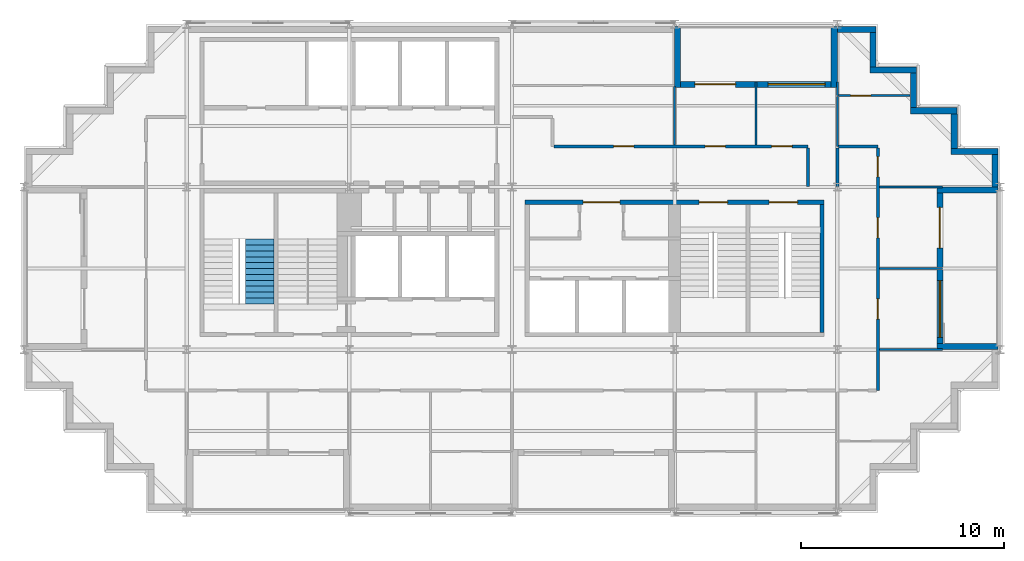
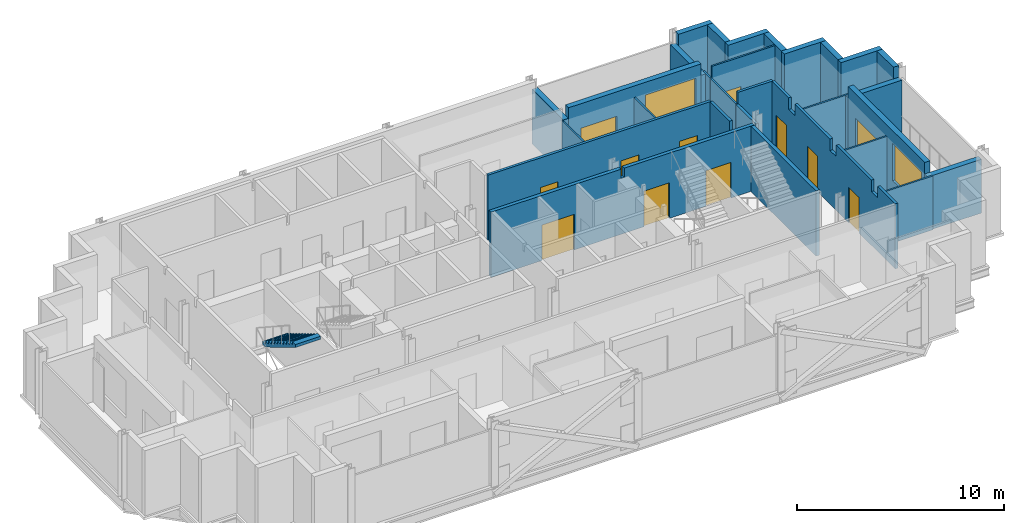
# One storey, part 7 of 9: 29 walls, 12 doors, 2 windows, 1 stair flight, 14 openings, 1 element without a shape of its own.
"""IFC4 building model written with IfcOpenShell, lengths in metres."""

from ifc_helpers import new_model, si_unit, direction, frame, frame_2d, origin, place, context, subcontext, project, spatial, polyline, rectangle, outline, extrude, material, layer, layer_set, type_object, element, fill, aggregate, save


model = new_model("IFC4")

# Units and contexts
model_context = context("Model", 3, precision=1e-05, world=origin(), true_north=direction((0.0, 1.0)))
body_context = subcontext(model_context, "Body", "Model", "MODEL_VIEW")
ifc_project = project(units=[si_unit("LENGTHUNIT", "METRE"), si_unit("AREAUNIT", "SQUARE_METRE"), si_unit("VOLUMEUNIT", "CUBIC_METRE"), si_unit("PLANEANGLEUNIT", "RADIAN"), si_unit("MASSUNIT", "GRAM", prefix="KILO")], contexts=[model_context])

# Site, building, storey
site_placement = place(None, origin())
site = spatial("IfcSite", under=ifc_project, at=site_placement, CompositionType="ELEMENT")
building_placement = place(site_placement, origin())
building = spatial("IfcBuilding", under=site, at=building_placement, Name="Immortelle Media Tower", CompositionType="ELEMENT")
storey_placement = place(building_placement, frame((0.0, 0.0, 225.0)))
storey = spatial("IfcBuildingStorey", under=building, at=storey_placement, Name="L48", CompositionType="ELEMENT", Elevation=225.0)

# Wall, openings, doors
ifc_material_1 = material(Name="Fire-rated gypsum board", Category="gypsum")
ifc_layer_1 = layer(ifc_material_1, 0.012451171875)
ifc_material_2 = material(Name="Steel ASTM A653 SS Gr 50 stud frame with mineral wool", Category="steel")
ifc_layer_2 = layer(ifc_material_2, 0.125)
ifc_layer_3 = layer(ifc_material_1, 0.012451171875)
ifc_layer_set_1 = layer_set([ifc_layer_1, ifc_layer_2, ifc_layer_3], Name="Steel ASTM A653 SS Gr 50 stud frame with mineral wool")
wall_type_1 = type_object("IfcWallType", Name="Corridor wall 150", PredefinedType="PARTITIONING", material=ifc_layer_set_1)
wall_1_placement = place(storey_placement, frame((42.0, 6.0, 0.0), z_axis=(0.0, 0.0, 1.0), x_axis=(0.0, 1.0, 0.0)))
wall_1 = element("IfcWall", 1, at=wall_1_placement, inside=storey, type_object=wall_type_1, Name="Partition L48-017", PredefinedType="PARTITIONING", context=body_context, shape_type="SweptSolid", body=[
    extrude(outline(polyline([(0.0, 0.0), (11.925048828125, 0.0), (11.925048828125, 3.85009765625), (10.300048828125, 3.85009765625), (10.298095703125, 3.172119140625), (9.701904296875, 3.172119140625), (9.699951171875, 3.85009765625), (6.300048828125, 3.85009765625), (6.298095703125, 3.172119140625), (5.701904296875, 3.172119140625), (5.699951171875, 3.85009765625), (2.300048828125, 3.85009765625), (2.298095703125, 3.172119140625), (1.701904296875, 3.172119140625), (1.699951171875, 3.85009765625), (0.0, 3.85009765625), (0.0, 0.0)])), frame((0.0, 0.074951171875, 0.0), z_axis=(0.0, -1.0, 0.0), x_axis=(1.0, 0.0, 0.0)), (0.0, 0.0, 1.0), 0.14990234375),
])
opening_1_placement = place(wall_1_placement, frame((4.5, 0.0, 0.0), z_axis=(0.0, 0.0, 1.0), x_axis=(-1.0, 0.0, 0.0)))
opening_1 = element("IfcOpeningElement", 2, at=opening_1_placement, cuts=wall_1, Name="Opening O5-F014", PredefinedType="OPENING", context=body_context, shape_type="SweptSolid", body=[
    extrude(rectangle(XDim=1.0, YDim=2.10009765625, at=frame_2d((0.5, 1.050048828125))), frame((0.0, 0.0849609375, 0.0), z_axis=(0.0, -1.0, 0.0), x_axis=(1.0, 0.0, 0.0)), (0.0, 0.0, 1.0), 0.169921875),
])
opening_2_placement = place(wall_1_placement, frame((8.5, 0.0, 0.0), z_axis=(0.0, 0.0, 1.0), x_axis=(-1.0, 0.0, 0.0)))
opening_2 = element("IfcOpeningElement", 3, at=opening_2_placement, cuts=wall_1, Name="Opening O5-F015", PredefinedType="OPENING", context=body_context, shape_type="SweptSolid", body=[
    extrude(rectangle(XDim=1.0, YDim=2.10009765625, at=frame_2d((0.5, 1.050048828125))), frame((0.0, 0.0849609375, 0.0), z_axis=(0.0, -1.0, 0.0), x_axis=(1.0, 0.0, 0.0)), (0.0, 0.0, 1.0), 0.169921875),
])
opening_3_placement = place(wall_1_placement, frame((11.5, 0.0, 0.0), z_axis=(0.0, 0.0, 1.0), x_axis=(-1.0, 0.0, 0.0)))
opening_3 = element("IfcOpeningElement", 4, at=opening_3_placement, cuts=wall_1, Name="Opening O5-F017", PredefinedType="OPENING", context=body_context, shape_type="SweptSolid", body=[
    extrude(rectangle(XDim=1.0, YDim=2.10009765625, at=frame_2d((0.5, 1.050048828125))), frame((0.0, 0.0849609375, 0.0), z_axis=(0.0, -1.0, 0.0), x_axis=(1.0, 0.0, 0.0)), (0.0, 0.0, 1.0), 0.169921875),
])
ifc_material_3 = material(Name="Timber veneered door leaf, galvanised steel frame ASTM A653", Category="steel")
door_type_1 = type_object("IfcDoorType", Name="Room door 1000 x 2100", OperationType="NOTDEFINED", PredefinedType="DOOR", material=ifc_material_3)
door_1_placement = place(opening_1_placement, origin())
door_1 = element("IfcDoor", 5, at=door_1_placement, inside=storey, type_object=door_type_1, Name="Door O5-F014", OperationType="SINGLE_SWING_RIGHT", OverallHeight=2.10009765625, OverallWidth=1.0, PredefinedType="DOOR", context=body_context, shape_type="SweptSolid", body=[
    extrude(rectangle(XDim=1.0, YDim=2.10009765625, at=frame_2d((0.5, 1.050048828125))), frame((0.0, 0.02490234375, 0.0), z_axis=(0.0, -1.0, 0.0), x_axis=(1.0, 0.0, 0.0)), (0.0, 0.0, 1.0), 0.050048828125),
])
fill(opening_1, door_1)
door_2_placement = place(opening_2_placement, origin())
door_2 = element("IfcDoor", 6, at=door_2_placement, inside=storey, type_object=door_type_1, Name="Door O5-F015", OperationType="SINGLE_SWING_RIGHT", OverallHeight=2.10009765625, OverallWidth=1.0, PredefinedType="DOOR", context=body_context, shape_type="SweptSolid", body=[
    extrude(rectangle(XDim=1.0, YDim=2.10009765625, at=frame_2d((0.5, 1.050048828125))), frame((0.0, 0.02490234375, 0.0), z_axis=(0.0, -1.0, 0.0), x_axis=(1.0, 0.0, 0.0)), (0.0, 0.0, 1.0), 0.050048828125),
])
fill(opening_2, door_2)
door_3_placement = place(opening_3_placement, origin())
door_3 = element("IfcDoor", 7, at=door_3_placement, inside=storey, type_object=door_type_1, Name="Door O5-F017", OperationType="SINGLE_SWING_RIGHT", OverallHeight=2.10009765625, OverallWidth=1.0, PredefinedType="DOOR", context=body_context, shape_type="SweptSolid", body=[
    extrude(rectangle(XDim=1.0, YDim=2.10009765625, at=frame_2d((0.5, 1.050048828125))), frame((0.0, 0.02490234375, 0.0), z_axis=(0.0, -1.0, 0.0), x_axis=(1.0, 0.0, 0.0)), (0.0, 0.0, 1.0), 0.050048828125),
])
fill(opening_3, door_3)

# Walls
wall_2_placement = place(storey_placement, frame((38.550048828125, 16.030029296875, 0.0), z_axis=(0.0, 0.0, 1.0), x_axis=(0.0, 1.0, 0.0)))
element("IfcWall", 8, at=wall_2_placement, inside=storey, type_object=wall_type_1, Name="Partition L48-023", PredefinedType="PARTITIONING", context=body_context, shape_type="SweptSolid", body=[
    extrude(rectangle(XDim=1.89501953125, YDim=0.14990234375, at=frame_2d((0.947509765625, 0.0))), origin(), (0.0, 0.0, 1.0), 3.85009765625),
])
wall_3_placement = place(storey_placement, frame((40.0, 16.030029296875, 0.0), z_axis=(0.0, 0.0, 1.0), x_axis=(0.0, 1.0, 0.0)))
element("IfcWall", 9, at=wall_3_placement, inside=storey, type_object=wall_type_1, Name="Partition L48-024", PredefinedType="PARTITIONING", context=body_context, shape_type="SweptSolid", body=[
    extrude(rectangle(XDim=1.89501953125, YDim=0.14990234375, at=frame_2d((0.947509765625, 0.0))), origin(), (0.0, 0.0, 1.0), 3.172119140625),
])

# Wall, openings, doors
wall_4_placement = place(storey_placement, frame((26.074951171875, 18.0, 0.0), z_axis=(0.0, 0.0, 1.0), x_axis=(1.0, 0.0, 0.0)))
wall_4 = element("IfcWall", 10, at=wall_4_placement, inside=storey, type_object=wall_type_1, Name="Partition L48-025", PredefinedType="PARTITIONING", context=body_context, shape_type="SweptSolid", body=[
    extrude(rectangle(XDim=12.47509765625, YDim=0.14990234375, at=frame_2d((6.237548828125, 0.0))), origin(), (0.0, 0.0, 1.0), 3.85009765625),
])
opening_4_placement = place(wall_4_placement, frame((7.425048828125, 0.0, 0.0)))
opening_4 = element("IfcOpeningElement", 11, at=opening_4_placement, cuts=wall_4, Name="Opening O5-F019", PredefinedType="OPENING", context=body_context, shape_type="SweptSolid", body=[
    extrude(rectangle(XDim=1.0, YDim=2.10009765625, at=frame_2d((0.5, 1.050048828125))), frame((0.0, 0.0849609375, 0.0), z_axis=(0.0, -1.0, 0.0), x_axis=(1.0, 0.0, 0.0)), (0.0, 0.0, 1.0), 0.169921875),
])
opening_5_placement = place(wall_4_placement, frame((10.699951171875, 0.0, 0.0)))
opening_5 = element("IfcOpeningElement", 12, at=opening_5_placement, cuts=wall_4, Name="Opening O5-F020", PredefinedType="OPENING", context=body_context, shape_type="SweptSolid", body=[
    extrude(rectangle(XDim=1.0, YDim=2.10009765625, at=frame_2d((0.5, 1.050048828125))), frame((0.0, 0.0849609375, 0.0), z_axis=(0.0, -1.0, 0.0), x_axis=(1.0, 0.0, 0.0)), (0.0, 0.0, 1.0), 0.169921875),
])
opening_6_placement = place(wall_4_placement, frame((2.925048828125, 0.0, 0.0)))
opening_6 = element("IfcOpeningElement", 13, at=opening_6_placement, cuts=wall_4, Name="Opening O5-F021", PredefinedType="OPENING", context=body_context, shape_type="SweptSolid", body=[
    extrude(rectangle(XDim=1.0, YDim=2.10009765625, at=frame_2d((0.5, 1.050048828125))), frame((0.0, 0.0849609375, 0.0), z_axis=(0.0, -1.0, 0.0), x_axis=(1.0, 0.0, 0.0)), (0.0, 0.0, 1.0), 0.169921875),
])
door_4_placement = place(opening_4_placement, origin())
door_4 = element("IfcDoor", 14, at=door_4_placement, inside=storey, type_object=door_type_1, Name="Door O5-F019", OperationType="SINGLE_SWING_RIGHT", OverallHeight=2.10009765625, OverallWidth=1.0, PredefinedType="DOOR", context=body_context, shape_type="SweptSolid", body=[
    extrude(rectangle(XDim=1.0, YDim=2.10009765625, at=frame_2d((0.5, 1.050048828125))), frame((0.0, 0.02490234375, 0.0), z_axis=(0.0, -1.0, 0.0), x_axis=(1.0, 0.0, 0.0)), (0.0, 0.0, 1.0), 0.050048828125),
])
fill(opening_4, door_4)
door_5_placement = place(opening_5_placement, origin())
door_5 = element("IfcDoor", 15, at=door_5_placement, inside=storey, type_object=door_type_1, Name="Door O5-F020", OperationType="SINGLE_SWING_LEFT", OverallHeight=2.10009765625, OverallWidth=1.0, PredefinedType="DOOR", context=body_context, shape_type="SweptSolid", body=[
    extrude(rectangle(XDim=1.0, YDim=2.10009765625, at=frame_2d((0.5, 1.050048828125))), frame((0.0, 0.02490234375, 0.0), z_axis=(0.0, -1.0, 0.0), x_axis=(1.0, 0.0, 0.0)), (0.0, 0.0, 1.0), 0.050048828125),
])
fill(opening_5, door_5)
door_6_placement = place(opening_6_placement, origin())
door_6 = element("IfcDoor", 16, at=door_6_placement, inside=storey, type_object=door_type_1, Name="Door O5-F021", OperationType="SINGLE_SWING_RIGHT", OverallHeight=2.10009765625, OverallWidth=1.0, PredefinedType="DOOR", context=body_context, shape_type="SweptSolid", body=[
    extrude(rectangle(XDim=1.0, YDim=2.10009765625, at=frame_2d((0.5, 1.050048828125))), frame((0.0, 0.02490234375, 0.0), z_axis=(0.0, -1.0, 0.0), x_axis=(1.0, 0.0, 0.0)), (0.0, 0.0, 1.0), 0.050048828125),
])
fill(opening_6, door_6)

# Wall
wall_5_placement = place(storey_placement, frame((40.050048828125, 18.0, 0.0), z_axis=(0.0, 0.0, 1.0), x_axis=(1.0, 0.0, 0.0)))
element("IfcWall", 17, at=wall_5_placement, inside=storey, type_object=wall_type_1, Name="Partition L48-029", PredefinedType="PARTITIONING", context=body_context, shape_type="SweptSolid", body=[
    extrude(rectangle(XDim=1.949951171875, YDim=0.14990234375, at=frame_2d((0.97509765625, 0.0))), origin(), (0.0, 0.0, 1.0), 3.85009765625),
])

# Wall, openings, door, window
ifc_material_4 = material(Name="Pale aluminium cladding panel", Category="aluminium")
ifc_layer_4 = layer(ifc_material_4, 0.030029296875)
ifc_layer_5 = layer(ifc_material_2, 0.257568359375)
ifc_material_5 = material(Name="Moisture-resistant gypsum board", Category="gypsum")
ifc_layer_6 = layer(ifc_material_5, 0.012451171875)
ifc_layer_set_2 = layer_set([ifc_layer_4, ifc_layer_5, ifc_layer_6], Name="Steel ASTM A653 SS Gr 50 stud frame with mineral wool")
wall_type_2 = type_object("IfcWallType", Name="Facade wall 300", PredefinedType="SOLIDWALL", material=ifc_layer_set_2)
wall_6_placement = place(storey_placement, frame((45.050048828125, 8.300048828125, 0.0), z_axis=(0.0, 0.0, 1.0), x_axis=(0.0, 1.0, 0.0)))
wall_6 = element("IfcWall", 18, at=wall_6_placement, inside=storey, type_object=wall_type_2, Name="Loggia wall L48 E13", PredefinedType="SOLIDWALL", context=body_context, shape_type="SweptSolid", body=[
    extrude(rectangle(XDim=7.39990234375, YDim=0.300048828125, at=frame_2d((3.699951171875, 0.0))), origin(), (0.0, 0.0, 1.0), 3.85009765625),
])
opening_7_placement = place(wall_6_placement, frame((0.300048828125, 0.0, 0.89990234375)))
opening_7 = element("IfcOpeningElement", 19, at=opening_7_placement, cuts=wall_6, Name="Opening W1", PredefinedType="OPENING", context=body_context, shape_type="SweptSolid", body=[
    extrude(rectangle(XDim=2.800048828125, YDim=2.199951171875, at=frame_2d((1.39990234375, 1.10009765625))), frame((0.0, 0.159912109375, 0.0), z_axis=(0.0, -1.0, 0.0), x_axis=(1.0, 0.0, 0.0)), (0.0, 0.0, 1.0), 0.320068359375),
])
opening_8_placement = place(wall_6_placement, frame((4.699951171875, 0.0, 0.0)))
opening_8 = element("IfcOpeningElement", 20, at=opening_8_placement, cuts=wall_6, Name="Opening O5-E003", PredefinedType="OPENING", context=body_context, shape_type="SweptSolid", body=[
    extrude(rectangle(XDim=2.0, YDim=2.39990234375, at=frame_2d((1.0, 1.199951171875))), frame((0.0, 0.159912109375, 0.0), z_axis=(0.0, -1.0, 0.0), x_axis=(1.0, 0.0, 0.0)), (0.0, 0.0, 1.0), 0.320068359375),
])
ifc_material_6 = material(Name="Aluminium frame, glazed leaves", Category="aluminium")
door_type_2 = type_object("IfcDoorType", Name="Loggia door 2000 x 2400", OperationType="DOUBLE_DOOR_SINGLE_SWING", PredefinedType="DOOR", material=ifc_material_6)
door_7_placement = place(opening_8_placement, origin())
door_7 = element("IfcDoor", 21, at=door_7_placement, inside=storey, type_object=door_type_2, Name="Door O5-E003", OperationType="DOUBLE_DOOR_SINGLE_SWING", OverallHeight=2.39990234375, OverallWidth=2.0, PredefinedType="DOOR", context=body_context, shape_type="SweptSolid", body=[
    extrude(rectangle(XDim=2.0, YDim=2.39990234375, at=frame_2d((1.0, 1.199951171875))), frame((0.0, 0.02490234375, 0.0), z_axis=(0.0, -1.0, 0.0), x_axis=(1.0, 0.0, 0.0)), (0.0, 0.0, 1.0), 0.050048828125),
])
fill(opening_8, door_7)
ifc_material_7 = material(Name="Aluminium frame", Category="aluminium")
window_type = type_object("IfcWindowType", Name="Window 2800 x 2200", PartitioningType="SINGLE_PANEL", PredefinedType="WINDOW", material=ifc_material_7)
window_1_placement = place(opening_7_placement, origin())
window_1 = element("IfcWindow", 22, at=window_1_placement, inside=storey, type_object=window_type, Name="Window L48 L48-R13-B0", OverallHeight=2.199951171875, OverallWidth=2.800048828125, PartitioningType="SINGLE_PANEL", PredefinedType="WINDOW", context=body_context, shape_type="SweptSolid", body=[
    extrude(rectangle(XDim=2.800048828125, YDim=2.199951171875, at=frame_2d((1.39990234375, 1.10009765625))), frame((0.0, 0.030029296875, 0.0), z_axis=(0.0, -1.0, 0.0), x_axis=(1.0, 0.0, 0.0)), (0.0, 0.0, 1.0), 0.06005859375),
])
fill(opening_7, window_1)

# Walls
for number, where, z_axis, x_axis, name in (
    (23, (47.89990234375, 8.14990234375, 0.0), (0.0, 0.0, 1.0), (-1.0, 0.0, 0.0), "Loggia cheek wall L48 E"),
    (24, (47.89990234375, 15.85009765625, 0.0), (0.0, 0.0, 1.0), (-1.0, 0.0, 0.0), "Loggia cheek wall L48 E"),
):
    element("IfcWall", number, at=place(storey_placement, frame(where, z_axis=z_axis, x_axis=x_axis)), inside=storey, type_object=wall_type_2, Name=name, PredefinedType="SOLIDWALL", context=body_context, shape_type="SweptSolid", body=[
        extrude(rectangle(XDim=3.0, YDim=0.300048828125, at=frame_2d((1.5, 0.0))), origin(), (0.0, 0.0, 1.0), 3.1708984375),
    ])
wall_7_placement = place(storey_placement, frame((47.75, 16.0, 0.0), z_axis=(0.0, 0.0, 1.0), x_axis=(0.0, 1.0, 0.0)))
element("IfcWall", 25, at=wall_7_placement, inside=storey, type_object=wall_type_2, Name="Facade wall L48 E13", PredefinedType="SOLIDWALL", context=body_context, shape_type="SweptSolid", body=[
    extrude(rectangle(XDim=1.60009765625, YDim=0.300048828125, at=frame_2d((0.800048828125, 0.0))), origin(), (0.0, 0.0, 1.0), 3.85009765625),
])
wall_8_placement = place(storey_placement, frame((47.89990234375, 17.75, 0.0), z_axis=(0.0, 0.0, 1.0), x_axis=(-1.0, 0.0, 0.0)))
element("IfcWall", 26, at=wall_8_placement, inside=storey, type_object=wall_type_2, Name="Facade wall L48 N14", PredefinedType="SOLIDWALL", context=body_context, shape_type="SweptSolid", body=[
    extrude(rectangle(XDim=2.2998046875, YDim=0.300048828125, at=frame_2d((1.14990234375, 0.0))), origin(), (0.0, 0.0, 1.0), 3.85009765625),
])
wall_9_placement = place(storey_placement, frame((45.75, 17.89990234375, 0.0), z_axis=(0.0, 0.0, 1.0), x_axis=(0.0, 1.0, 0.0)))
element("IfcWall", 27, at=wall_9_placement, inside=storey, type_object=wall_type_2, Name="Facade wall L48 E15", PredefinedType="SOLIDWALL", context=body_context, shape_type="SweptSolid", body=[
    extrude(rectangle(XDim=1.7001953125, YDim=0.300048828125, at=frame_2d((0.85009765625, 0.0))), origin(), (0.0, 0.0, 1.0), 3.85009765625),
])
wall_10_placement = place(storey_placement, frame((45.89990234375, 19.75, 0.0), z_axis=(0.0, 0.0, 1.0), x_axis=(-1.0, 0.0, 0.0)))
element("IfcWall", 28, at=wall_10_placement, inside=storey, type_object=wall_type_2, Name="Facade wall L48 N16", PredefinedType="SOLIDWALL", context=body_context, shape_type="SweptSolid", body=[
    extrude(rectangle(XDim=2.2998046875, YDim=0.300048828125, at=frame_2d((1.14990234375, 0.0))), origin(), (0.0, 0.0, 1.0), 3.85009765625),
])
wall_11_placement = place(storey_placement, frame((43.75, 19.89990234375, 0.0), z_axis=(0.0, 0.0, 1.0), x_axis=(0.0, 1.0, 0.0)))
element("IfcWall", 29, at=wall_11_placement, inside=storey, type_object=wall_type_2, Name="Facade wall L48 E17", PredefinedType="SOLIDWALL", context=body_context, shape_type="SweptSolid", body=[
    extrude(rectangle(XDim=1.7001953125, YDim=0.300048828125, at=frame_2d((0.85009765625, 0.0))), origin(), (0.0, 0.0, 1.0), 3.85009765625),
])
wall_12_placement = place(storey_placement, frame((43.89990234375, 21.75, 0.0), z_axis=(0.0, 0.0, 1.0), x_axis=(-1.0, 0.0, 0.0)))
element("IfcWall", 30, at=wall_12_placement, inside=storey, type_object=wall_type_2, Name="Facade wall L48 N18", PredefinedType="SOLIDWALL", context=body_context, shape_type="SweptSolid", body=[
    extrude(rectangle(XDim=2.2998046875, YDim=0.300048828125, at=frame_2d((1.14990234375, 0.0))), origin(), (0.0, 0.0, 1.0), 3.85009765625),
])
wall_13_placement = place(storey_placement, frame((41.75, 21.89990234375, 0.0), z_axis=(0.0, 0.0, 1.0), x_axis=(0.0, 1.0, 0.0)))
element("IfcWall", 31, at=wall_13_placement, inside=storey, type_object=wall_type_2, Name="Facade wall L48 E19", PredefinedType="SOLIDWALL", context=body_context, shape_type="SweptSolid", body=[
    extrude(rectangle(XDim=1.7001953125, YDim=0.300048828125, at=frame_2d((0.85009765625, 0.0))), origin(), (0.0, 0.0, 1.0), 3.85009765625),
])
wall_14_placement = place(storey_placement, frame((41.89990234375, 23.75, 0.0), z_axis=(0.0, 0.0, 1.0), x_axis=(-1.0, 0.0, 0.0)))
element("IfcWall", 32, at=wall_14_placement, inside=storey, type_object=wall_type_2, Name="Facade wall L48 N20", PredefinedType="SOLIDWALL", context=body_context, shape_type="SweptSolid", body=[
    extrude(rectangle(XDim=1.89990234375, YDim=0.300048828125, at=frame_2d((0.949951171875, 0.0))), origin(), (0.0, 0.0, 1.0), 3.85009765625),
])

# Wall, openings, door, window
wall_15_placement = place(storey_placement, frame((39.699951171875, 21.050048828125, 0.0), z_axis=(0.0, 0.0, 1.0), x_axis=(-1.0, 0.0, 0.0)))
wall_15 = element("IfcWall", 33, at=wall_15_placement, inside=storey, type_object=wall_type_2, Name="Loggia wall L48 N20", PredefinedType="SOLIDWALL", context=body_context, shape_type="SweptSolid", body=[
    extrude(rectangle(XDim=7.39990234375, YDim=0.300048828125, at=frame_2d((3.699951171875, 0.0))), origin(), (0.0, 0.0, 1.0), 3.85009765625),
])
opening_9_placement = place(wall_15_placement, frame((0.300048828125, 0.0, 0.89990234375)))
opening_9 = element("IfcOpeningElement", 34, at=opening_9_placement, cuts=wall_15, Name="Opening W1", PredefinedType="OPENING", context=body_context, shape_type="SweptSolid", body=[
    extrude(rectangle(XDim=2.800048828125, YDim=2.199951171875, at=frame_2d((1.39990234375, 1.10009765625))), frame((0.0, 0.159912109375, 0.0), z_axis=(0.0, -1.0, 0.0), x_axis=(1.0, 0.0, 0.0)), (0.0, 0.0, 1.0), 0.320068359375),
])
opening_10_placement = place(wall_15_placement, frame((4.699951171875, 0.0, 0.0)))
opening_10 = element("IfcOpeningElement", 35, at=opening_10_placement, cuts=wall_15, Name="Opening O5-E004", PredefinedType="OPENING", context=body_context, shape_type="SweptSolid", body=[
    extrude(rectangle(XDim=2.0, YDim=2.39990234375, at=frame_2d((1.0, 1.199951171875))), frame((0.0, 0.159912109375, 0.0), z_axis=(0.0, -1.0, 0.0), x_axis=(1.0, 0.0, 0.0)), (0.0, 0.0, 1.0), 0.320068359375),
])
door_8_placement = place(opening_10_placement, origin())
door_8 = element("IfcDoor", 36, at=door_8_placement, inside=storey, type_object=door_type_2, Name="Door O5-E004", OperationType="DOUBLE_DOOR_SINGLE_SWING", OverallHeight=2.39990234375, OverallWidth=2.0, PredefinedType="DOOR", context=body_context, shape_type="SweptSolid", body=[
    extrude(rectangle(XDim=2.0, YDim=2.39990234375, at=frame_2d((1.0, 1.199951171875))), frame((0.0, 0.02490234375, 0.0), z_axis=(0.0, -1.0, 0.0), x_axis=(1.0, 0.0, 0.0)), (0.0, 0.0, 1.0), 0.050048828125),
])
fill(opening_10, door_8)
window_2_placement = place(opening_9_placement, origin())
window_2 = element("IfcWindow", 37, at=window_2_placement, inside=storey, type_object=window_type, Name="Window L48 L48-R20-B0", OverallHeight=2.199951171875, OverallWidth=2.800048828125, PartitioningType="SINGLE_PANEL", PredefinedType="WINDOW", context=body_context, shape_type="SweptSolid", body=[
    extrude(rectangle(XDim=2.800048828125, YDim=2.199951171875, at=frame_2d((1.39990234375, 1.10009765625))), frame((0.0, 0.030029296875, 0.0), z_axis=(0.0, -1.0, 0.0), x_axis=(1.0, 0.0, 0.0)), (0.0, 0.0, 1.0), 0.06005859375),
])
fill(opening_9, window_2)

# Walls
wall_16_placement = place(storey_placement, frame((39.85009765625, 23.89990234375, 0.0), z_axis=(0.0, 0.0, 1.0), x_axis=(0.0, -1.0, 0.0)))
element("IfcWall", 38, at=wall_16_placement, inside=storey, type_object=wall_type_2, Name="Loggia cheek wall L48 N", PredefinedType="SOLIDWALL", context=body_context, shape_type="SweptSolid", body=[
    extrude(rectangle(XDim=3.0, YDim=0.300048828125, at=frame_2d((1.5, 0.0))), origin(), (0.0, 0.0, 1.0), 3.1708984375),
])
wall_17_placement = place(storey_placement, frame((32.14990234375, 23.89990234375, 0.0), z_axis=(0.0, 0.0, 1.0), x_axis=(0.0, -1.0, 0.0)))
element("IfcWall", 39, at=wall_17_placement, inside=storey, type_object=wall_type_2, Name="Loggia cheek wall L48 N", PredefinedType="SOLIDWALL", context=body_context, shape_type="SweptSolid", body=[
    extrude(rectangle(XDim=3.0, YDim=0.300048828125, at=frame_2d((1.5, 0.0))), origin(), (0.0, 0.0, 1.0), 3.237060546875),
])
ifc_material_8 = material(Name="Gypsum board", Category="gypsum")
ifc_layer_7 = layer(ifc_material_8, 0.012451171875)
ifc_layer_8 = layer(ifc_material_2, 0.074951171875)
ifc_layer_9 = layer(ifc_material_8, 0.012451171875)
ifc_layer_set_3 = layer_set([ifc_layer_7, ifc_layer_8, ifc_layer_9], Name="Steel ASTM A653 SS Gr 50 stud frame with mineral wool")
wall_type_3 = type_object("IfcWallType", Name="Partition 100", PredefinedType="PARTITIONING", material=ifc_layer_set_3)
for number, where, z_axis, x_axis, name in (
    (40, (42.074951171875, 8.0, 0.0), (0.0, 0.0, 1.0), (1.0, 0.0, 0.0), "Partition L48-019"),
    (41, (42.074951171875, 12.0, 0.0), (0.0, 0.0, 1.0), (1.0, 0.0, 0.0), "Partition L48-020"),
    (42, (42.074951171875, 16.0, 0.0), (0.0, 0.0, 1.0), (1.0, 0.0, 0.0), "Partition L48-022"),
):
    element("IfcWall", number, at=place(storey_placement, frame(where, z_axis=z_axis, x_axis=x_axis)), inside=storey, type_object=wall_type_3, Name=name, PredefinedType="PARTITIONING", context=body_context, shape_type="SweptSolid", body=[
        extrude(rectangle(XDim=3.094970703125, YDim=0.10009765625, at=frame_2d((1.54736328125, 0.0))), origin(), (0.0, 0.0, 1.0), 3.172119140625),
    ])
wall_18_placement = place(storey_placement, frame((32.0, 18.074951171875, 0.0), z_axis=(0.0, 0.0, 1.0), x_axis=(0.0, 1.0, 0.0)))
element("IfcWall", 43, at=wall_18_placement, inside=storey, type_object=wall_type_3, Name="Partition L48-027", PredefinedType="PARTITIONING", context=body_context, shape_type="SweptSolid", body=[
    extrude(rectangle(XDim=2.875, YDim=0.10009765625, at=frame_2d((1.4375, 0.0))), origin(), (0.0, 0.0, 1.0), 3.172119140625),
])
wall_19_placement = place(storey_placement, frame((36.0, 18.074951171875, 0.0), z_axis=(0.0, 0.0, 1.0), x_axis=(0.0, 1.0, 0.0)))
element("IfcWall", 44, at=wall_19_placement, inside=storey, type_object=wall_type_3, Name="Partition L48-028", PredefinedType="PARTITIONING", context=body_context, shape_type="SweptSolid", body=[
    extrude(rectangle(XDim=3.094970703125, YDim=0.10009765625, at=frame_2d((1.54736328125, 0.0))), origin(), (0.0, 0.0, 1.0), 3.172119140625),
])
wall_20_placement = place(storey_placement, frame((40.0, 18.0, 0.0), z_axis=(0.0, 0.0, 1.0), x_axis=(0.0, 1.0, 0.0)))
element("IfcWall", 45, at=wall_20_placement, inside=storey, type_object=wall_type_3, Name="Partition L48-030", PredefinedType="PARTITIONING", context=body_context, shape_type="SweptSolid", body=[
    extrude(rectangle(XDim=2.449951171875, YDim=0.10009765625, at=frame_2d((1.22509765625, 0.0))), origin(), (0.0, 0.0, 1.0), 3.172119140625),
])

# Wall, opening, door
wall_21_placement = place(storey_placement, frame((40.050048828125, 20.5, 0.0), z_axis=(0.0, 0.0, 1.0), x_axis=(1.0, 0.0, 0.0)))
wall_21 = element("IfcWall", 46, at=wall_21_placement, inside=storey, type_object=wall_type_3, Name="Partition L48-033", PredefinedType="PARTITIONING", context=body_context, shape_type="SweptSolid", body=[
    extrude(rectangle(XDim=3.52001953125, YDim=0.10009765625, at=frame_2d((1.760009765625, 0.0))), origin(), (0.0, 0.0, 1.0), 3.85009765625),
])
opening_11_placement = place(wall_21_placement, frame((0.60009765625, 0.0, 0.0)))
opening_11 = element("IfcOpeningElement", 47, at=opening_11_placement, cuts=wall_21, Name="Opening O5-F018", PredefinedType="OPENING", context=body_context, shape_type="SweptSolid", body=[
    extrude(rectangle(XDim=1.0, YDim=2.10009765625, at=frame_2d((0.5, 1.050048828125))), frame((0.0, 0.06005859375, 0.0), z_axis=(0.0, -1.0, 0.0), x_axis=(1.0, 0.0, 0.0)), (0.0, 0.0, 1.0), 0.1201171875),
])
door_9_placement = place(opening_11_placement, origin())
door_9 = element("IfcDoor", 48, at=door_9_placement, inside=storey, type_object=door_type_1, Name="Door O5-F018", OperationType="SINGLE_SWING_LEFT", OverallHeight=2.10009765625, OverallWidth=1.0, PredefinedType="DOOR", context=body_context, shape_type="SweptSolid", body=[
    extrude(rectangle(XDim=1.0, YDim=2.10009765625, at=frame_2d((0.5, 1.050048828125))), frame((0.0, 0.02490234375, 0.0), z_axis=(0.0, -1.0, 0.0), x_axis=(1.0, 0.0, 0.0)), (0.0, 0.0, 1.0), 0.050048828125),
])
fill(opening_11, door_9)

# Wall
wall_22_placement = place(storey_placement, frame((40.0, 20.5, 0.0), z_axis=(0.0, 0.0, 1.0), x_axis=(0.0, 1.0, 0.0)))
element("IfcWall", 49, at=wall_22_placement, inside=storey, type_object=wall_type_3, Name="Partition L48-034", PredefinedType="PARTITIONING", context=body_context, shape_type="SweptSolid", body=[
    extrude(rectangle(XDim=0.669921875, YDim=0.10009765625, at=frame_2d((0.3349609375, 0.0))), origin(), (0.0, 0.0, 1.0), 3.172119140625),
])

# Wall, openings, doors
ifc_material_9 = material(Name="Concrete C60", Category="concrete")
ifc_layer_10 = layer(ifc_material_9, 0.199951171875)
ifc_layer_set_4 = layer_set([ifc_layer_10], Name="Concrete C60")
wall_type_4 = type_object("IfcWallType", Name="Stair shaft wall 200", PredefinedType="PARTITIONING", material=ifc_layer_set_4)
wall_23_placement = place(storey_placement, frame((24.64990234375, 15.25, 0.0), z_axis=(0.0, 0.0, 1.0), x_axis=(1.0, 0.0, 0.0)))
wall_23 = element("IfcWall", 50, at=wall_23_placement, inside=storey, type_object=wall_type_4, Name="Stair shaft wall SE", PredefinedType="PARTITIONING", context=body_context, shape_type="SweptSolid", body=[
    extrude(outline(polyline([(0.0, 0.0), (14.7001953125, 0.0), (14.699951171875, 3.85009765625), (7.4384765625, 3.85009765625), (7.4375, 3.30810546875), (7.262451171875, 3.30810546875), (7.261474609375, 3.85009765625), (0.0, 3.85009765625), (0.0, 0.0)])), frame((0.0, 0.10009765625, 0.0), z_axis=(0.0, -1.0, 0.0), x_axis=(1.0, 0.0, 0.0)), (0.0, 0.0, 1.0), 0.199951171875),
])
opening_12_placement = place(wall_23_placement, frame((2.85009765625, 0.0, 0.0)))
opening_12 = element("IfcOpeningElement", 51, at=opening_12_placement, cuts=wall_23, Name="Opening O5-K022", PredefinedType="OPENING", context=body_context, shape_type="SweptSolid", body=[
    extrude(rectangle(XDim=1.800048828125, YDim=2.10009765625, at=frame_2d((0.89990234375, 1.050048828125))), frame((0.0, 0.10986328125, 0.0), z_axis=(0.0, -1.0, 0.0), x_axis=(1.0, 0.0, 0.0)), (0.0, 0.0, 1.0), 0.219970703125),
])
opening_13_placement = place(wall_23_placement, frame((9.949951171875, 0.0, 0.0), z_axis=(0.0, 0.0, 1.0), x_axis=(-1.0, 0.0, 0.0)))
opening_13 = element("IfcOpeningElement", 52, at=opening_13_placement, cuts=wall_23, Name="Opening O5-K025", PredefinedType="OPENING", context=body_context, shape_type="SweptSolid", body=[
    extrude(rectangle(XDim=1.39990234375, YDim=2.10009765625, at=frame_2d((0.699951171875, 1.050048828125))), frame((0.0, 0.10986328125, 0.0), z_axis=(0.0, -1.0, 0.0), x_axis=(1.0, 0.0, 0.0)), (0.0, 0.0, 1.0), 0.219970703125),
])
opening_14_placement = place(wall_23_placement, frame((13.39990234375, 0.0, 0.0), z_axis=(0.0, 0.0, 1.0), x_axis=(-1.0, 0.0, 0.0)))
opening_14 = element("IfcOpeningElement", 53, at=opening_14_placement, cuts=wall_23, Name="Opening O5-K026", PredefinedType="OPENING", context=body_context, shape_type="SweptSolid", body=[
    extrude(rectangle(XDim=1.39990234375, YDim=2.10009765625, at=frame_2d((0.699951171875, 1.050048828125))), frame((0.0, 0.10986328125, 0.0), z_axis=(0.0, -1.0, 0.0), x_axis=(1.0, 0.0, 0.0)), (0.0, 0.0, 1.0), 0.219970703125),
])
ifc_material_10 = material(Name="Galvanised steel door leaf and frame ASTM A653", Category="steel")
door_type_3 = type_object("IfcDoorType", Name="Lift lobby door 1800 x 2100", OperationType="DOUBLE_DOOR_SINGLE_SWING", PredefinedType="NOTDEFINED", material=ifc_material_10)
door_10_placement = place(opening_12_placement, origin())
door_10 = element("IfcDoor", 54, at=door_10_placement, inside=storey, type_object=door_type_3, Name="Lift lobby O5-K022", OperationType="DOUBLE_DOOR_SINGLE_SWING", OverallHeight=2.10009765625, OverallWidth=1.800048828125, PredefinedType="NOTDEFINED", context=body_context, shape_type="SweptSolid", body=[
    extrude(rectangle(XDim=1.800048828125, YDim=2.10009765625, at=frame_2d((0.89990234375, 1.050048828125))), frame((0.0, 0.02490234375, 0.0), z_axis=(0.0, -1.0, 0.0), x_axis=(1.0, 0.0, 0.0)), (0.0, 0.0, 1.0), 0.050048828125),
])
fill(opening_12, door_10)
door_type_4 = type_object("IfcDoorType", Name="Stair door 1400 x 2100", OperationType="DOUBLE_DOOR_SINGLE_SWING", PredefinedType="NOTDEFINED", material=ifc_material_10)
door_11_placement = place(opening_13_placement, origin())
door_11 = element("IfcDoor", 55, at=door_11_placement, inside=storey, type_object=door_type_4, Name="Stair O5-K025", OperationType="DOUBLE_DOOR_SINGLE_SWING", OverallHeight=2.10009765625, OverallWidth=1.39990234375, PredefinedType="NOTDEFINED", context=body_context, shape_type="SweptSolid", body=[
    extrude(rectangle(XDim=1.39990234375, YDim=2.10009765625, at=frame_2d((0.699951171875, 1.050048828125))), frame((0.0, 0.02490234375, 0.0), z_axis=(0.0, -1.0, 0.0), x_axis=(1.0, 0.0, 0.0)), (0.0, 0.0, 1.0), 0.050048828125),
])
fill(opening_13, door_11)
door_12_placement = place(opening_14_placement, origin())
door_12 = element("IfcDoor", 56, at=door_12_placement, inside=storey, type_object=door_type_4, Name="Stair O5-K026", OperationType="DOUBLE_DOOR_SINGLE_SWING", OverallHeight=2.10009765625, OverallWidth=1.39990234375, PredefinedType="NOTDEFINED", context=body_context, shape_type="SweptSolid", body=[
    extrude(rectangle(XDim=1.39990234375, YDim=2.10009765625, at=frame_2d((0.699951171875, 1.050048828125))), frame((0.0, 0.02490234375, 0.0), z_axis=(0.0, -1.0, 0.0), x_axis=(1.0, 0.0, 0.0)), (0.0, 0.0, 1.0), 0.050048828125),
])
fill(opening_14, door_12)

# Wall
wall_24_placement = place(storey_placement, frame((39.25, 8.85009765625, 0.0), z_axis=(0.0, 0.0, 1.0), x_axis=(0.0, 1.0, 0.0)))
element("IfcWall", 57, at=wall_24_placement, inside=storey, type_object=wall_type_4, Name="Stair shaft wall SE", PredefinedType="PARTITIONING", context=body_context, shape_type="SweptSolid", body=[
    extrude(rectangle(XDim=6.2998046875, YDim=0.199951171875, at=frame_2d((3.14990234375, 0.0))), origin(), (0.0, 0.0, 1.0), 3.85009765625),
])

# Stair, stair flight
ifc_material_11 = material(Name="Steel ASTM A992 Gr 50", Category="steel")
stair_type = type_object("IfcStairType", Name="Stair with flights", PredefinedType="DOUBLE_RETURN_STAIR", material=ifc_material_11)
stair_placement = place(storey_placement, origin())
stair = element("IfcStair", 58, at=stair_placement, inside=storey, type_object=stair_type, Name="Exit stair SW1", PredefinedType="DOUBLE_RETURN_STAIR")
stair_flight_type = type_object("IfcStairFlightType", Name="Stair flight 1400", PredefinedType="STRAIGHT", material=ifc_material_11)
stair_flight_placement = place(storey_placement, frame((11.60009765625, 13.43994140625, 1.9130859375), z_axis=(0.0, 0.0, 1.0), x_axis=(0.0, -1.0, 0.0)))
stair_flight = element("IfcStairFlight", 59, at=stair_flight_placement, type_object=stair_flight_type, Name="ST SW1 flight 2", NumberOfRisers=12, NumberOfTreads=11, PredefinedType="STRAIGHT", RiserHeight=0.173913043, TreadLength=0.29, context=body_context, shape_type="SweptSolid", body=[
    extrude(outline(polyline([(0.0, 0.0), (0.0, 0.173828125), (0.2900390625, 0.173828125), (0.2900390625, 0.347900390625), (0.580078125, 0.347900390625), (0.580078125, 0.521728515625), (0.8701171875, 0.521728515625), (0.8701171875, 0.695556640625), (1.159912109375, 0.695556640625), (1.159912109375, 0.86962890625), (1.449951171875, 0.86962890625), (1.449951171875, 1.04345703125), (1.739990234375, 1.04345703125), (1.739990234375, 1.21728515625), (2.030029296875, 1.21728515625), (2.030029296875, 1.391357421875), (2.320068359375, 1.391357421875), (2.320068359375, 1.565185546875), (2.610107421875, 1.565185546875), (2.610107421875, 1.739013671875), (2.89990234375, 1.739013671875), (2.89990234375, 1.9130859375), (3.18994140625, 1.9130859375), (3.18994140625, 2.0869140625), (3.18994140625, 1.73828125), (0.29150390625, 0.0), (0.0, 0.0)])), frame((0.0, 0.699951171875, 0.0), z_axis=(0.0, -1.0, 0.0), x_axis=(1.0, 0.0, 0.0)), (0.0, 0.0, 1.0), 1.39990234375),
])
aggregate(stair, [stair_flight])

save(model, "model.ifc")
